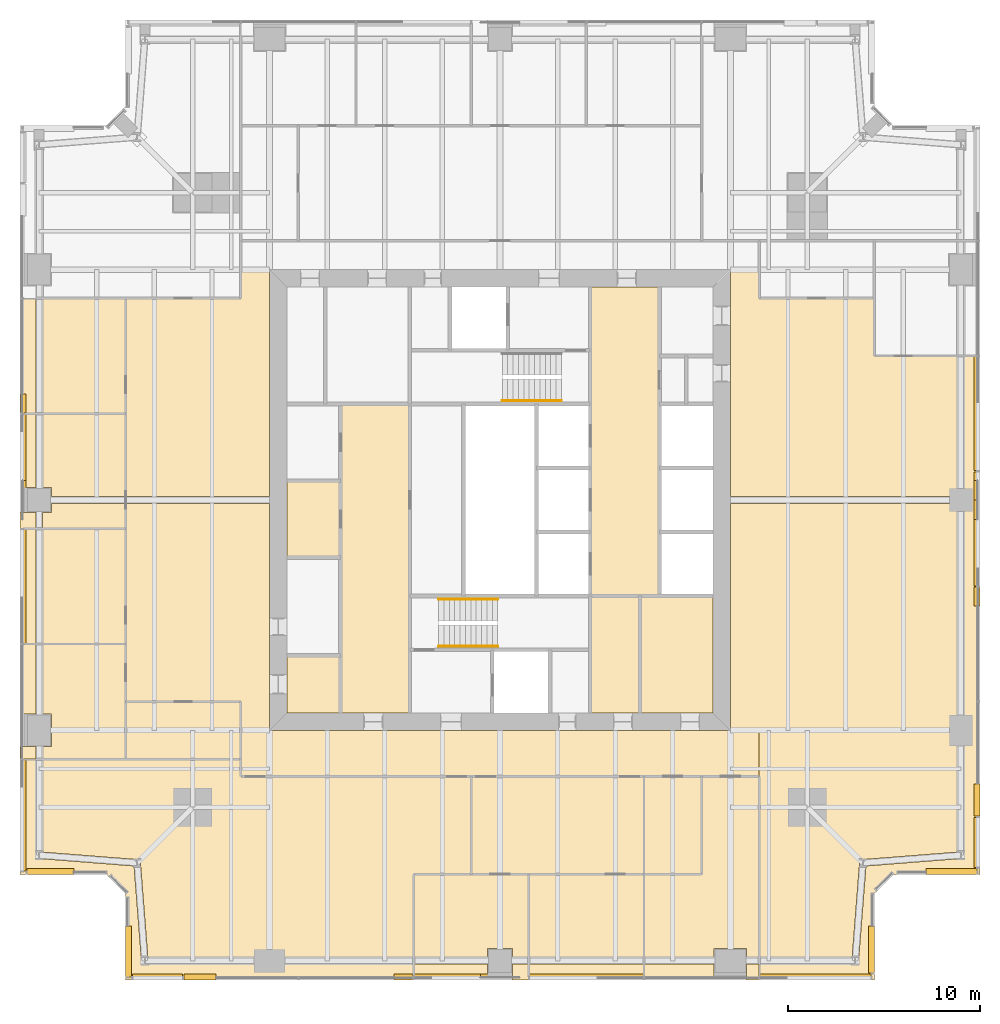
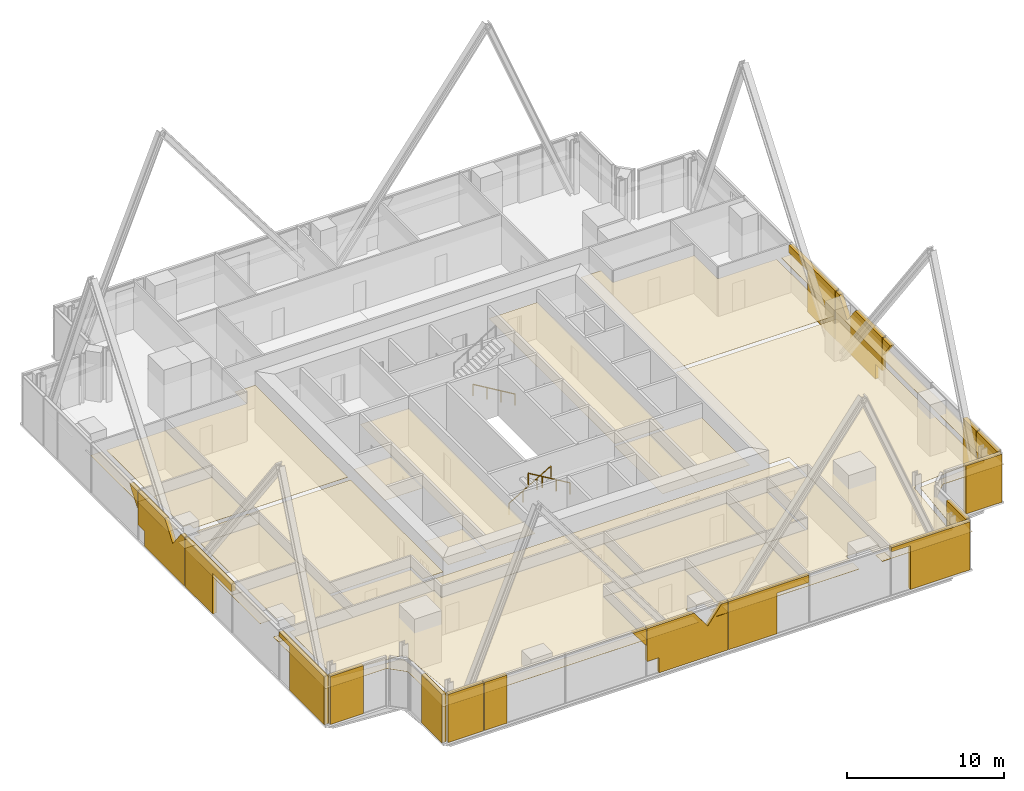
# One storey, part 13 of 14: 55 coverings, 3 railings.
"""IFC4 building model written with IfcOpenShell, lengths in metres."""

import ifcopenshell
import ifcopenshell.guid

model = None  # the IFC model being written
_history = None  # IfcOwnerHistory: only IFC2X3 demands one
_inside = {}  # id of a spatial element -> (the spatial element, [elements in it])
_under = {}  # id of a project, library or spatial element -> (it, [spatial elements below it])
_declared = {}  # id of a project -> (the project, [libraries it declares])
_typed = {}  # id of a type object -> (the type object, [elements of that type])
_made_of = {}  # id of a material, layer set ... -> (it, [elements and type objects made of it])


def new_model(schema):
    """Start an empty IFC model of exactly this schema.

    Asked for "IFC4X3", IfcOpenShell would pick the latest addendum, in which some entities
    have other attributes; the version numbers below select the first issue.
    IFC2X3 requires an IfcOwnerHistory on every rooted entity: one is made here for all.
    """
    global model, _history
    if schema == "IFC4X3":
        model = ifcopenshell.file(schema_version=(4, 3, 0, 0))
    else:
        model = ifcopenshell.file(schema=schema)
    _inside.clear()
    _under.clear()
    _declared.clear()
    _typed.clear()
    _made_of.clear()
    _history = None
    if model.schema == "IFC2X3":
        org = make("IfcOrganization", Name="unknown")
        user = make(
            "IfcPersonAndOrganization",
            ThePerson=make("IfcPerson", FamilyName="unknown"),
            TheOrganization=org,
        )
        app = make(
            "IfcApplication",
            ApplicationDeveloper=org,
            Version="unknown",
            ApplicationFullName="unknown",
            ApplicationIdentifier="unknown",
        )
        _history = make(
            "IfcOwnerHistory",
            OwningUser=user,
            OwningApplication=app,
            ChangeAction="ADDED",
            CreationDate=0,
        )
    return model


def make(cls, **values):
    """One entity of the class cls with the attributes given. An attribute that is None is left unset."""
    return model.create_entity(
        cls, **{name: value for name, value in values.items() if value is not None}
    )


def rooted(cls, **values):
    """An entity with a GlobalId (a new one), such as an element, a storey or a relation."""
    return make(cls, GlobalId=ifcopenshell.guid.new(), OwnerHistory=_history, **values)


def si_unit(unit_type, name, prefix=None):
    """IfcSIUnit, for example si_unit("LENGTHUNIT", "METRE", prefix="MILLI")."""
    return make("IfcSIUnit", UnitType=unit_type, Prefix=prefix, Name=name)


def assignment(units):
    """IfcUnitAssignment: the units of a project."""
    return None if units is None else make("IfcUnitAssignment", Units=units)


def point(xyz):
    """IfcCartesianPoint."""
    return None if xyz is None else make("IfcCartesianPoint", Coordinates=xyz)


def direction(xyz):
    """IfcDirection."""
    return None if xyz is None else make("IfcDirection", DirectionRatios=xyz)


def frame(location, z_axis=None, x_axis=None):
    """IfcAxis2Placement3D, a coordinate frame: its origin and axes. An axis left out is left unset."""
    return make(
        "IfcAxis2Placement3D",
        Location=point(location),
        Axis=direction(z_axis),
        RefDirection=direction(x_axis),
    )


def frame_2d(location, x_axis=None):
    """IfcAxis2Placement2D, a coordinate frame in the plane: its origin and x axis."""
    return make(
        "IfcAxis2Placement2D", Location=point(location), RefDirection=direction(x_axis)
    )


def origin():
    """The frame at (0, 0, 0) with its axes left unset."""
    return frame((0.0, 0.0, 0.0))


def origin_2d():
    """The frame at (0, 0) in the plane with its x axis left unset."""
    return frame_2d((0.0, 0.0))


def place(relative_to, where):
    """IfcLocalPlacement: puts the frame where relative to a parent placement (None: the world)."""
    return make(
        "IfcLocalPlacement", PlacementRelTo=relative_to, RelativePlacement=where
    )


def context(
    kind, dimensions, precision=None, world=None, true_north=None, identifier=None
):
    """IfcGeometricRepresentationContext, for example the 3D "Model" context."""
    return make(
        "IfcGeometricRepresentationContext",
        ContextIdentifier=identifier,
        ContextType=kind,
        CoordinateSpaceDimension=dimensions,
        Precision=precision,
        WorldCoordinateSystem=world,
        TrueNorth=true_north,
    )


def subcontext(parent, identifier, kind, view, scale=None):
    """IfcGeometricRepresentationSubContext, for example "Body" below "Model"."""
    return make(
        "IfcGeometricRepresentationSubContext",
        ContextIdentifier=identifier,
        ContextType=kind,
        ParentContext=parent,
        TargetScale=scale,
        TargetView=view,
    )


def project(units=None, contexts=None):
    """IfcProject with its units and contexts."""
    return rooted(
        "IfcProject",
        Name="project",
        RepresentationContexts=contexts,
        UnitsInContext=assignment(units),
    )


def spatial(cls, under=None, at=None, **own):
    """A site, building, storey or space (cls), placed at a placement, below another one or the project."""
    s = rooted(cls, ObjectPlacement=at, **own)
    if under is not None:
        _under.setdefault(under.id(), (under, []))[1].append(s)
    return s


def polyline(points):
    """IfcPolyline through the points."""
    return make("IfcPolyline", Points=[point(p) for p in points])


def profile(cls, at=None, kind="AREA", **sizes):
    """A parametric profile (cls). Its sizes go by their IFC names, for example OverallWidth=200.0."""
    return make(cls, ProfileType=kind, Position=at, **sizes)


def circle(**sizes):
    """IfcCircleProfileDef."""
    return profile("IfcCircleProfileDef", **sizes)


def outline(outer, holes=None, kind="AREA"):
    """IfcArbitraryClosedProfileDef: a profile drawn as a closed curve; with holes, ...WithVoids."""
    if holes is None:
        return make("IfcArbitraryClosedProfileDef", ProfileType=kind, OuterCurve=outer)
    return make(
        "IfcArbitraryProfileDefWithVoids",
        ProfileType=kind,
        OuterCurve=outer,
        InnerCurves=holes,
    )


def extrude(swept, where, along, depth):
    """IfcExtrudedAreaSolid: the profile swept, set in the frame where, extruded along a direction by depth."""
    return make(
        "IfcExtrudedAreaSolid",
        SweptArea=swept,
        Position=where,
        ExtrudedDirection=direction(along),
        Depth=depth,
    )


def shape(context_of_items, identifier, shape_type, items):
    """IfcShapeRepresentation: the items that make up one representation, for example the "Body"."""
    return make(
        "IfcShapeRepresentation",
        ContextOfItems=context_of_items,
        RepresentationIdentifier=identifier,
        RepresentationType=shape_type,
        Items=items,
    )


def material(Name=None, Category=None):
    """IfcMaterial."""
    return make("IfcMaterial", Name=Name, Category=Category)


def layer(
    of_material, thickness, ventilated=None, Name=None, Category=None, Priority=None
):
    """IfcMaterialLayer: one layer of a wall or slab, of a material (None: an air gap)."""
    return make(
        "IfcMaterialLayer",
        Material=of_material,
        LayerThickness=thickness,
        IsVentilated=ventilated,
        Name=Name,
        Category=Category,
        Priority=Priority,
    )


def layer_set(layers, Name=None):
    """IfcMaterialLayerSet."""
    return make("IfcMaterialLayerSet", MaterialLayers=layers, LayerSetName=Name)


def made_of(thing, what):
    """Note that an element or type object is made of a material, layer set ...; save() writes the relation."""
    if what is not None:
        _made_of.setdefault(what.id(), (what, []))[1].append(thing)
    return thing


def type_object(cls, material=None, **own):
    """A type object (cls), such as IfcWallType, which elements share."""
    return made_of(rooted(cls, **own), material)


def element(
    cls,
    number,
    at=None,
    inside=None,
    cuts=None,
    type_object=None,
    material=None,
    context=None,
    identifier="Body",
    shape_type=None,
    held_by="IfcProductDefinitionShape",
    body=None,
    shapes=None,
    **own,
):
    """One element of the class cls, such as IfcWall. Its Tag is "e" and its number.

    at: its placement. inside: the storey or other place that contains it. cuts: it is an
    opening in that element (IfcRelVoidsElement). A single representation is given by context,
    identifier, shape_type and body (its items); several are given by shapes. held_by: the class
    of the entity that holds the representations. save() writes the other relations.
    """
    e = rooted(cls, Tag="e%d" % number, ObjectPlacement=at, **own)
    if body is not None:
        shapes = [shape(context, identifier, shape_type, body)]
    if shapes is not None:
        e.Representation = make(held_by, Representations=shapes)
    if inside is not None:
        _inside.setdefault(inside.id(), (inside, []))[1].append(e)
    if cuts is not None:
        rooted(
            "IfcRelVoidsElement", RelatingBuildingElement=cuts, RelatedOpeningElement=e
        )
    if type_object is not None:
        _typed.setdefault(type_object.id(), (type_object, []))[1].append(e)
    return made_of(e, material)


def aggregate(whole, parts):
    """IfcRelAggregates: a whole, such as a stair, and the parts it consists of."""
    return rooted("IfcRelAggregates", RelatingObject=whole, RelatedObjects=parts)


def save(model, path):
    """Write the relations noted so far, then the file.

    IfcRelAggregates (storeys below a building ...), IfcRelContainedInSpatialStructure (elements
    in a storey), IfcRelDefinesByType, IfcRelAssociatesMaterial and IfcRelDeclares: one each for
    every whole, place, type object, material and project.
    """
    for whole, parts in _under.values():
        aggregate(whole, parts)
    for where, things in _inside.values():
        rooted(
            "IfcRelContainedInSpatialStructure",
            RelatedElements=things,
            RelatingStructure=where,
        )
    for kind, things in _typed.values():
        rooted("IfcRelDefinesByType", RelatedObjects=things, RelatingType=kind)
    for what, things in _made_of.values():
        rooted("IfcRelAssociatesMaterial", RelatedObjects=things, RelatingMaterial=what)
    for by, libraries in _declared.values():
        rooted("IfcRelDeclares", RelatingContext=by, RelatedDefinitions=libraries)
    model.write(path)


model = new_model("IFC4")

# Units and contexts
model_context = context("Model", 3, precision=1e-05, world=origin(), true_north=direction((0.0, 1.0)))
body_context = subcontext(model_context, "Body", "Model", "MODEL_VIEW")
ifc_project = project(units=[si_unit("LENGTHUNIT", "METRE"), si_unit("AREAUNIT", "SQUARE_METRE"), si_unit("VOLUMEUNIT", "CUBIC_METRE"), si_unit("PLANEANGLEUNIT", "RADIAN"), si_unit("MASSUNIT", "GRAM", prefix="KILO")], contexts=[model_context])

# Site, building, storey
site_placement = place(None, origin())
site = spatial("IfcSite", under=ifc_project, at=site_placement, CompositionType="ELEMENT")
building_placement = place(site_placement, origin())
building = spatial("IfcBuilding", under=site, at=building_placement, Name="Fenwick Lantern Interchange", CompositionType="ELEMENT")
storey_placement = place(building_placement, frame((0.0, 0.0, 185.800048828125)))
storey = spatial("IfcBuildingStorey", under=building, at=storey_placement, Name="L43", CompositionType="ELEMENT", Elevation=185.800048828125)

# Coverings
ifc_material_1 = material(Name="Mineral fibre acoustic tile on suspended grid")
ifc_layer_1 = layer(ifc_material_1, 0.02001953125)
ifc_layer_set_1 = layer_set([ifc_layer_1], Name="ACOUSTIC TILE CEILING 20")
covering_type_1 = type_object("IfcCoveringType", Name="ACOUSTIC TILE CEILING 20", PredefinedType="CEILING", material=ifc_layer_set_1)
covering_1_placement = place(storey_placement, frame((0.0, 0.0, 2.89990234375)))
element("IfcCovering", 1, at=covering_1_placement, inside=storey, type_object=covering_type_1, Name="Meeting room ceiling", PredefinedType="CEILING", context=body_context, shape_type="SweptSolid", body=[
    extrude(outline(polyline([(20.5, 5.5), (20.5, 1.17236328125), (24.35009765625, 1.17236328125), (24.35009765625, 1.64990234375), (25.64990234375, 1.64990234375), (25.64990234375, 1.17236328125), (26.5, 1.17236328125), (26.5, 5.5), (20.5, 5.5)])), origin(), (0.0, 0.0, 1.0), 0.02001953125),
])
covering_2_placement = place(storey_placement, frame((0.0, 0.0, 2.89990234375)))
element("IfcCovering", 2, at=covering_2_placement, inside=storey, type_object=covering_type_1, Name="Meeting room ceiling", PredefinedType="CEILING", context=body_context, shape_type="SweptSolid", body=[
    extrude(outline(polyline([(20.5, 0.82763671875), (20.5, 0.0), (24.35009765625, 0.0), (24.35009765625, 0.82763671875), (20.5, 0.82763671875)])), origin(), (0.0, 0.0, 1.0), 0.02001953125),
])
covering_3_placement = place(storey_placement, frame((0.0, 0.0, 2.89990234375)))
element("IfcCovering", 3, at=covering_3_placement, inside=storey, type_object=covering_type_1, Name="Meeting room ceiling", PredefinedType="CEILING", context=body_context, shape_type="SweptSolid", body=[
    extrude(outline(polyline([(26.5, 0.0), (26.5, 0.82763671875), (25.64990234375, 0.82763671875), (25.64990234375, 0.0), (26.5, 0.0)])), origin(), (0.0, 0.0, 1.0), 0.02001953125),
])
covering_4_placement = place(storey_placement, frame((0.0, 0.0, 2.89990234375)))
element("IfcCovering", 4, at=covering_4_placement, inside=storey, type_object=covering_type_1, Name="Meeting room ceiling", PredefinedType="CEILING", context=body_context, shape_type="SweptSolid", body=[
    extrude(outline(polyline([(26.5, 5.5), (26.5, 1.17236328125), (32.5, 1.17236328125), (32.5, 5.5), (26.5, 5.5)])), origin(), (0.0, 0.0, 1.0), 0.02001953125),
])
covering_5_placement = place(storey_placement, frame((0.0, 0.0, 2.89990234375)))
element("IfcCovering", 5, at=covering_5_placement, inside=storey, type_object=covering_type_1, Name="Meeting room ceiling", PredefinedType="CEILING", context=body_context, shape_type="SweptSolid", body=[
    extrude(outline(polyline([(32.5, 0.0), (32.5, 0.82763671875), (26.5, 0.82763671875), (26.5, 0.0), (32.5, 0.0)])), origin(), (0.0, 0.0, 1.0), 0.02001953125),
])
covering_6_placement = place(storey_placement, frame((0.0, 0.0, 2.89990234375)))
element("IfcCovering", 6, at=covering_6_placement, inside=storey, type_object=covering_type_1, Name="Meeting room ceiling", PredefinedType="CEILING", context=body_context, shape_type="SweptSolid", body=[
    extrude(outline(polyline([(37.85009765625, 1.64990234375), (37.85009765625, 1.17236328125), (38.5, 1.17236328125), (38.5, 10.60009765625), (35.5, 10.60009765625), (35.5, 5.5), (32.5, 5.5), (32.5, 1.17236328125), (36.14990234375, 1.17236328125), (36.14990234375, 1.64990234375), (37.85009765625, 1.64990234375)])), origin(), (0.0, 0.0, 1.0), 0.02001953125),
])
covering_7_placement = place(storey_placement, frame((0.0, 0.0, 2.89990234375)))
element("IfcCovering", 7, at=covering_7_placement, inside=storey, type_object=covering_type_1, Name="Meeting room ceiling", PredefinedType="CEILING", context=body_context, shape_type="SweptSolid", body=[
    extrude(outline(polyline([(36.14990234375, 0.0), (36.14990234375, 0.82763671875), (32.5, 0.82763671875), (32.5, 0.0), (36.14990234375, 0.0)])), origin(), (0.0, 0.0, 1.0), 0.02001953125),
])
covering_8_placement = place(storey_placement, frame((0.0, 0.0, 2.89990234375)))
element("IfcCovering", 8, at=covering_8_placement, inside=storey, type_object=covering_type_1, Name="Meeting room ceiling", PredefinedType="CEILING", context=body_context, shape_type="SweptSolid", body=[
    extrude(outline(polyline([(37.85009765625, 0.82763671875), (37.85009765625, 0.0), (38.5, 0.0), (38.5, 0.82763671875), (37.85009765625, 0.82763671875)])), origin(), (0.0, 0.0, 1.0), 0.02001953125),
])
covering_9_placement = place(storey_placement, frame((0.0, 0.0, 2.89990234375)))
element("IfcCovering", 9, at=covering_9_placement, inside=storey, type_object=covering_type_1, Name="Open office ceiling", PredefinedType="CEILING", context=body_context, shape_type="SweptSolid", body=[
    extrude(outline(polyline([(38.5, 13.0), (38.5, 1.17236328125), (43.340576171875, 1.17236328125), (43.72802734375, 6.113525390625), (43.89990234375, 6.10009765625), (43.886474609375, 6.27197265625), (48.82763671875, 6.659423828125), (48.82763671875, 13.0), (48.82763671875, 24.824951171875), (37.0, 24.824951171875), (37.0, 13.0), (38.5, 13.0)])), origin(), (0.0, 0.0, 1.0), 0.02001953125),
])
covering_10_placement = place(storey_placement, frame((0.0, 0.0, 2.89990234375)))
element("IfcCovering", 10, at=covering_10_placement, inside=storey, type_object=covering_type_1, Name="Open office ceiling", PredefinedType="CEILING", context=body_context, shape_type="SweptSolid", body=[
    extrude(outline(polyline([(37.0, 37.0), (37.0, 25.175048828125), (48.82763671875, 25.175048828125), (48.82763671875, 32.5), (44.5, 32.5), (44.5, 35.5), (38.5, 35.5), (38.5, 37.0), (37.0, 37.0)])), origin(), (0.0, 0.0, 1.0), 0.02001953125),
])
covering_11_placement = place(storey_placement, frame((0.0, 0.0, 2.89990234375)))
element("IfcCovering", 11, at=covering_11_placement, inside=storey, type_object=covering_type_1, Name="Open office ceiling", PredefinedType="CEILING", context=body_context, shape_type="SweptSolid", body=[
    extrude(outline(polyline([(45.5, 5.5), (50.0, 5.5), (50.0, 32.5), (49.17236328125, 32.5), (49.17236328125, 25.0), (49.17236328125, 13.0), (49.17236328125, 6.5), (49.0, 6.5), (49.013427734375, 6.328125), (44.060302734375, 5.939697265625), (43.671875, 0.986572265625), (43.5, 1.0), (43.5, 0.82763671875), (38.5, 0.82763671875), (38.5, 0.0), (44.5, 0.0), (44.5, 4.5), (45.5, 5.5)])), origin(), (0.0, 0.0, 1.0), 0.02001953125),
])
covering_12_placement = place(storey_placement, frame((0.0, 0.0, 2.89990234375)))
element("IfcCovering", 12, at=covering_12_placement, inside=storey, type_object=covering_type_1, Name="Open office ceiling", PredefinedType="CEILING", context=body_context, shape_type="SweptSolid", body=[
    extrude(outline(polyline([(5.5, 24.824951171875), (5.5, 14.5), (11.5, 14.5), (11.5, 13.0), (13.0, 13.0), (13.0, 24.824951171875), (5.5, 24.824951171875)])), origin(), (0.0, 0.0, 1.0), 0.02001953125),
])
covering_13_placement = place(storey_placement, frame((0.0, 0.0, 2.89990234375)))
element("IfcCovering", 13, at=covering_13_placement, inside=storey, type_object=covering_type_1, Name="Open office ceiling", PredefinedType="CEILING", context=body_context, shape_type="SweptSolid", body=[
    extrude(outline(polyline([(5.5, 35.5), (5.5, 25.175048828125), (13.0, 25.175048828125), (13.0, 37.0), (11.5, 37.0), (11.5, 35.5), (5.5, 35.5)])), origin(), (0.0, 0.0, 1.0), 0.02001953125),
])
covering_14_placement = place(storey_placement, frame((0.0, 0.0, 2.89990234375)))
element("IfcCovering", 14, at=covering_14_placement, inside=storey, type_object=covering_type_1, Name="Office ceiling", PredefinedType="CEILING", context=body_context, shape_type="SweptSolid", body=[
    extrude(outline(polyline([(5.5, 35.5), (1.17236328125, 35.5), (1.17236328125, 29.5), (5.5, 29.5), (5.5, 35.5)])), origin(), (0.0, 0.0, 1.0), 0.02001953125),
])
covering_15_placement = place(storey_placement, frame((0.0, 0.0, 2.89990234375)))
element("IfcCovering", 15, at=covering_15_placement, inside=storey, type_object=covering_type_1, Name="Office ceiling", PredefinedType="CEILING", context=body_context, shape_type="SweptSolid", body=[
    extrude(outline(polyline([(0.0, 29.5), (0.82763671875, 29.5), (0.82763671875, 35.5), (0.0, 35.5), (0.0, 29.5)])), origin(), (0.0, 0.0, 1.0), 0.02001953125),
])
covering_16_placement = place(storey_placement, frame((0.0, 0.0, 2.89990234375)))
element("IfcCovering", 16, at=covering_16_placement, inside=storey, type_object=covering_type_1, Name="Office ceiling", PredefinedType="CEILING", context=body_context, shape_type="SweptSolid", body=[
    extrude(outline(polyline([(5.5, 29.5), (1.17236328125, 29.5), (1.17236328125, 25.64990234375), (1.64990234375, 25.64990234375), (1.64990234375, 25.175048828125), (5.5, 25.175048828125), (5.5, 29.5)])), origin(), (0.0, 0.0, 1.0), 0.02001953125),
])
covering_17_placement = place(storey_placement, frame((0.0, 0.0, 2.89990234375)))
element("IfcCovering", 17, at=covering_17_placement, inside=storey, type_object=covering_type_1, Name="Office ceiling", PredefinedType="CEILING", context=body_context, shape_type="SweptSolid", body=[
    extrude(outline(polyline([(5.5, 23.5), (5.5, 24.824951171875), (1.64990234375, 24.824951171875), (1.64990234375, 24.35009765625), (1.17236328125, 24.35009765625), (1.17236328125, 23.5), (5.5, 23.5)])), origin(), (0.0, 0.0, 1.0), 0.02001953125),
])
covering_18_placement = place(storey_placement, frame((0.0, 0.0, 2.89990234375)))
element("IfcCovering", 18, at=covering_18_placement, inside=storey, type_object=covering_type_1, Name="Office ceiling", PredefinedType="CEILING", context=body_context, shape_type="SweptSolid", body=[
    extrude(outline(polyline([(0.82763671875, 29.5), (0.0, 29.5), (0.0, 25.64990234375), (0.82763671875, 25.64990234375), (0.82763671875, 29.5)])), origin(), (0.0, 0.0, 1.0), 0.02001953125),
])
covering_19_placement = place(storey_placement, frame((0.0, 0.0, 2.89990234375)))
element("IfcCovering", 19, at=covering_19_placement, inside=storey, type_object=covering_type_1, Name="Office ceiling", PredefinedType="CEILING", context=body_context, shape_type="SweptSolid", body=[
    extrude(outline(polyline([(0.0, 23.5), (0.82763671875, 23.5), (0.82763671875, 24.35009765625), (0.0, 24.35009765625), (0.0, 23.5)])), origin(), (0.0, 0.0, 1.0), 0.02001953125),
])
covering_20_placement = place(storey_placement, frame((0.0, 0.0, 2.89990234375)))
element("IfcCovering", 20, at=covering_20_placement, inside=storey, type_object=covering_type_1, Name="Office ceiling", PredefinedType="CEILING", context=body_context, shape_type="SweptSolid", body=[
    extrude(outline(polyline([(5.5, 23.5), (1.17236328125, 23.5), (1.17236328125, 17.5), (5.5, 17.5), (5.5, 23.5)])), origin(), (0.0, 0.0, 1.0), 0.02001953125),
])
covering_21_placement = place(storey_placement, frame((0.0, 0.0, 2.89990234375)))
element("IfcCovering", 21, at=covering_21_placement, inside=storey, type_object=covering_type_1, Name="Office ceiling", PredefinedType="CEILING", context=body_context, shape_type="SweptSolid", body=[
    extrude(outline(polyline([(0.0, 17.5), (0.82763671875, 17.5), (0.82763671875, 23.5), (0.0, 23.5), (0.0, 17.5)])), origin(), (0.0, 0.0, 1.0), 0.02001953125),
])
covering_22_placement = place(storey_placement, frame((0.0, 0.0, 2.89990234375)))
element("IfcCovering", 22, at=covering_22_placement, inside=storey, type_object=covering_type_1, Name="Office ceiling", PredefinedType="CEILING", context=body_context, shape_type="SweptSolid", body=[
    extrude(outline(polyline([(5.5, 17.5), (1.17236328125, 17.5), (1.17236328125, 13.85009765625), (1.64990234375, 13.85009765625), (1.64990234375, 12.14990234375), (1.17236328125, 12.14990234375), (1.17236328125, 11.5), (5.5, 11.5), (5.5, 17.5)])), origin(), (0.0, 0.0, 1.0), 0.02001953125),
])
covering_23_placement = place(storey_placement, frame((0.0, 0.0, 2.89990234375)))
element("IfcCovering", 23, at=covering_23_placement, inside=storey, type_object=covering_type_1, Name="Office ceiling", PredefinedType="CEILING", context=body_context, shape_type="SweptSolid", body=[
    extrude(outline(polyline([(0.82763671875, 17.5), (0.0, 17.5), (0.0, 13.85009765625), (0.82763671875, 13.85009765625), (0.82763671875, 17.5)])), origin(), (0.0, 0.0, 1.0), 0.02001953125),
])
covering_24_placement = place(storey_placement, frame((0.0, 0.0, 2.89990234375)))
element("IfcCovering", 24, at=covering_24_placement, inside=storey, type_object=covering_type_1, Name="Office ceiling", PredefinedType="CEILING", context=body_context, shape_type="SweptSolid", body=[
    extrude(outline(polyline([(0.0, 11.5), (0.82763671875, 11.5), (0.82763671875, 12.14990234375), (0.0, 12.14990234375), (0.0, 11.5)])), origin(), (0.0, 0.0, 1.0), 0.02001953125),
])
ifc_material_2 = material(Name="Granite cladding, warm grey flamed finish, on aluminium carrier frame", Category="masonry")
ifc_layer_2 = layer(ifc_material_2, 0.300048828125)
ifc_layer_set_2 = layer_set([ifc_layer_2], Name="BRACE CASING PANEL 300")
covering_type_2 = type_object("IfcCoveringType", Name="BRACE CASING PANEL 300", PredefinedType="CLADDING", material=ifc_layer_set_2)
covering_25_placement = place(storey_placement, frame((5.60009765625, 0.10009765625, 0.0), z_axis=(0.0, 0.0, 1.0), x_axis=(1.0, 0.0, 0.0)))
element("IfcCovering", 25, at=covering_25_placement, inside=storey, type_object=covering_type_2, Name="Brace casing 01 bay 00a", PredefinedType="CLADDING", context=body_context, shape_type="SweptSolid", body=[
    extrude(outline(polyline([(0.264892578125, 0.0), (2.867431640625, 0.0), (2.867431640625, 3.75), (0.264892578125, 3.75), (0.264892578125, 0.0)])), frame((0.0, 0.2001953125, 0.0), z_axis=(0.0, -1.0, 0.0), x_axis=(1.0, 0.0, 0.0)), (0.0, 0.0, 1.0), 0.300048828125),
])
covering_26_placement = place(storey_placement, frame((5.60009765625, 0.10009765625, 0.0), z_axis=(0.0, 0.0, 1.0), x_axis=(1.0, 0.0, 0.0)))
element("IfcCovering", 26, at=covering_26_placement, inside=storey, type_object=covering_type_2, Name="Brace casing 01 bay 01a", PredefinedType="CLADDING", context=body_context, shape_type="SweptSolid", body=[
    extrude(outline(polyline([(2.9326171875, 0.0), (4.614013671875, 0.0), (4.614013671875, 3.75), (2.9326171875, 3.75), (2.9326171875, 0.0)])), frame((0.0, 0.2001953125, 0.0), z_axis=(0.0, -1.0, 0.0), x_axis=(1.0, 0.0, 0.0)), (0.0, 0.0, 1.0), 0.300048828125),
])
covering_27_placement = place(storey_placement, frame((5.60009765625, 0.10009765625, 2.437255859375), z_axis=(0.0, 0.0, 1.0), x_axis=(1.0, 0.0, 0.0)))
element("IfcCovering", 27, at=covering_27_placement, inside=storey, type_object=covering_type_2, Name="Brace casing 01 bay 02a", PredefinedType="CLADDING", context=body_context, shape_type="SweptSolid", body=[
    extrude(outline(polyline([(14.867431640625, 0.0), (14.867431640625, 1.312744140625), (13.883056640625, 1.312744140625), (14.867431640625, 0.0)])), frame((0.0, 0.2001953125, 0.0), z_axis=(0.0, -1.0, 0.0), x_axis=(1.0, 0.0, 0.0)), (0.0, 0.0, 1.0), 0.300048828125),
])
covering_28_placement = place(storey_placement, frame((5.60009765625, 0.10009765625, 0.0), z_axis=(0.0, 0.0, 1.0), x_axis=(1.0, 0.0, 0.0)))
element("IfcCovering", 28, at=covering_28_placement, inside=storey, type_object=covering_type_2, Name="Brace casing 01 bay 03a", PredefinedType="CLADDING", context=body_context, shape_type="SweptSolid", body=[
    extrude(outline(polyline([(15.8125, 0.0), (20.867431640625, 0.0), (20.867431640625, 3.75), (20.4169921875, 3.75), (19.39990234375, 2.39404296875), (18.383056640625, 3.75), (14.9326171875, 3.75), (14.9326171875, 1.17724609375), (15.8125, 1.17724609375), (15.8125, 0.0)])), frame((0.0, 0.2001953125, 0.0), z_axis=(0.0, -1.0, 0.0), x_axis=(1.0, 0.0, 0.0)), (0.0, 0.0, 1.0), 0.300048828125),
])
covering_29_placement = place(storey_placement, frame((5.60009765625, 0.10009765625, 0.0), z_axis=(0.0, 0.0, 1.0), x_axis=(1.0, 0.0, 0.0)))
element("IfcCovering", 29, at=covering_29_placement, inside=storey, type_object=covering_type_2, Name="Brace casing 01 bay 04a", PredefinedType="CLADDING", context=body_context, shape_type="SweptSolid", body=[
    extrude(outline(polyline([(20.9326171875, 0.0), (24.484375, 0.0), (24.484375, 3.17333984375), (26.867431640625, 3.17333984375), (26.867431640625, 3.75), (20.9326171875, 3.75), (20.9326171875, 0.0)])), frame((0.0, 0.2001953125, 0.0), z_axis=(0.0, -1.0, 0.0), x_axis=(1.0, 0.0, 0.0)), (0.0, 0.0, 1.0), 0.300048828125),
])
covering_30_placement = place(storey_placement, frame((5.60009765625, 0.10009765625, 0.0), z_axis=(0.0, 0.0, 1.0), x_axis=(1.0, 0.0, 0.0)))
element("IfcCovering", 30, at=covering_30_placement, inside=storey, type_object=covering_type_2, Name="Brace casing 01 bay 06a", PredefinedType="CLADDING", context=body_context, shape_type="SweptSolid", body=[
    extrude(outline(polyline([(34.322509765625, 0.0), (38.735107421875, 0.0), (38.735107421875, 3.75), (32.9326171875, 3.75), (32.9326171875, 3.417724609375), (34.322509765625, 3.417724609375), (34.322509765625, 0.0)])), frame((0.0, 0.2001953125, 0.0), z_axis=(0.0, -1.0, 0.0), x_axis=(1.0, 0.0, 0.0)), (0.0, 0.0, 1.0), 0.300048828125),
])
covering_31_placement = place(storey_placement, frame((44.39990234375, 0.10009765625, 0.0), z_axis=(0.0, 0.0, 1.0), x_axis=(0.0, 1.0, 0.0)))
element("IfcCovering", 31, at=covering_31_placement, inside=storey, type_object=covering_type_2, Name="Brace casing 02 bay 00a", PredefinedType="CLADDING", context=body_context, shape_type="SweptSolid", body=[
    extrude(outline(polyline([(0.264892578125, 0.0), (2.699951171875, 0.0), (2.699951171875, 3.75), (0.264892578125, 3.75), (0.264892578125, 0.0)])), frame((0.0, 0.2001953125, 0.0), z_axis=(0.0, -1.0, 0.0), x_axis=(1.0, 0.0, 0.0)), (0.0, 0.0, 1.0), 0.300048828125),
])
covering_32_placement = place(storey_placement, frame((45.45849609375, 5.60009765625, 0.0), z_axis=(0.0, 0.0, 1.0), x_axis=(1.0, 0.0, 0.0)))
element("IfcCovering", 32, at=covering_32_placement, inside=storey, type_object=covering_type_2, Name="Brace casing 04 bay 00a", PredefinedType="CLADDING", context=body_context, shape_type="SweptSolid", body=[
    extrude(outline(polyline([(1.741455078125, 0.0), (4.37646484375, 0.0), (4.37646484375, 3.75), (1.741455078125, 3.75), (1.741455078125, 0.0)])), frame((0.0, 0.2001953125, 0.0), z_axis=(0.0, -1.0, 0.0), x_axis=(1.0, 0.0, 0.0)), (0.0, 0.0, 1.0), 0.300048828125),
])
covering_33_placement = place(storey_placement, frame((49.89990234375, 5.60009765625, 0.0), z_axis=(0.0, 0.0, 1.0), x_axis=(0.0, 1.0, 0.0)))
element("IfcCovering", 33, at=covering_33_placement, inside=storey, type_object=covering_type_2, Name="Brace casing 05 bay 00a", PredefinedType="CLADDING", context=body_context, shape_type="SweptSolid", body=[
    extrude(outline(polyline([(0.264892578125, 0.0), (2.867431640625, 0.0), (2.867431640625, 3.75), (0.264892578125, 3.75), (0.264892578125, 0.0)])), frame((0.0, 0.2001953125, 0.0), z_axis=(0.0, -1.0, 0.0), x_axis=(1.0, 0.0, 0.0)), (0.0, 0.0, 1.0), 0.300048828125),
])
covering_34_placement = place(storey_placement, frame((49.89990234375, 5.60009765625, 0.0), z_axis=(0.0, 0.0, 1.0), x_axis=(0.0, 1.0, 0.0)))
element("IfcCovering", 34, at=covering_34_placement, inside=storey, type_object=covering_type_2, Name="Brace casing 05 bay 01a", PredefinedType="CLADDING", context=body_context, shape_type="SweptSolid", body=[
    extrude(outline(polyline([(2.9326171875, 0.0), (4.614013671875, 0.0), (4.614013671875, 3.75), (2.9326171875, 3.75), (2.9326171875, 0.0)])), frame((0.0, 0.2001953125, 0.0), z_axis=(0.0, -1.0, 0.0), x_axis=(1.0, 0.0, 0.0)), (0.0, 0.0, 1.0), 0.300048828125),
])
covering_35_placement = place(storey_placement, frame((49.89990234375, 5.60009765625, 2.437255859375), z_axis=(0.0, 0.0, 1.0), x_axis=(0.0, 1.0, 0.0)))
element("IfcCovering", 35, at=covering_35_placement, inside=storey, type_object=covering_type_2, Name="Brace casing 05 bay 02a", PredefinedType="CLADDING", context=body_context, shape_type="SweptSolid", body=[
    extrude(outline(polyline([(14.867431640625, 0.0), (14.867431640625, 1.312744140625), (13.883056640625, 1.312744140625), (14.867431640625, 0.0)])), frame((0.0, 0.2001953125, 0.0), z_axis=(0.0, -1.0, 0.0), x_axis=(1.0, 0.0, 0.0)), (0.0, 0.0, 1.0), 0.300048828125),
])
covering_36_placement = place(storey_placement, frame((49.89990234375, 5.60009765625, 0.0), z_axis=(0.0, 0.0, 1.0), x_axis=(0.0, 1.0, 0.0)))
element("IfcCovering", 36, at=covering_36_placement, inside=storey, type_object=covering_type_2, Name="Brace casing 05 bay 03a", PredefinedType="CLADDING", context=body_context, shape_type="SweptSolid", body=[
    extrude(outline(polyline([(15.8125, 0.0), (20.867431640625, 0.0), (20.867431640625, 3.75), (20.4169921875, 3.75), (19.39990234375, 2.39404296875), (18.383056640625, 3.75), (14.9326171875, 3.75), (14.9326171875, 1.17724609375), (15.8125, 1.17724609375), (15.8125, 0.0)])), frame((0.0, 0.2001953125, 0.0), z_axis=(0.0, -1.0, 0.0), x_axis=(1.0, 0.0, 0.0)), (0.0, 0.0, 1.0), 0.300048828125),
])
covering_37_placement = place(storey_placement, frame((49.89990234375, 5.60009765625, 0.0), z_axis=(0.0, 0.0, 1.0), x_axis=(0.0, 1.0, 0.0)))
element("IfcCovering", 37, at=covering_37_placement, inside=storey, type_object=covering_type_2, Name="Brace casing 05 bay 04a", PredefinedType="CLADDING", context=body_context, shape_type="SweptSolid", body=[
    extrude(outline(polyline([(20.9326171875, 0.0), (24.484375, 0.0), (24.484375, 3.17333984375), (26.867431640625, 3.17333984375), (26.867431640625, 3.75), (20.9326171875, 3.75), (20.9326171875, 0.0)])), frame((0.0, 0.2001953125, 0.0), z_axis=(0.0, -1.0, 0.0), x_axis=(1.0, 0.0, 0.0)), (0.0, 0.0, 1.0), 0.300048828125),
])
covering_38_placement = place(storey_placement, frame((0.10009765625, 44.39990234375, 2.437255859375), z_axis=(0.0, 0.0, 1.0), x_axis=(0.0, -1.0, 0.0)))
element("IfcCovering", 38, at=covering_38_placement, inside=storey, type_object=covering_type_2, Name="Brace casing 13 bay 02a", PredefinedType="CLADDING", context=body_context, shape_type="SweptSolid", body=[
    extrude(outline(polyline([(14.867431640625, 0.0), (14.867431640625, 1.312744140625), (13.883056640625, 1.312744140625), (14.867431640625, 0.0)])), frame((0.0, 0.2001953125, 0.0), z_axis=(0.0, -1.0, 0.0), x_axis=(1.0, 0.0, 0.0)), (0.0, 0.0, 1.0), 0.300048828125),
])
covering_39_placement = place(storey_placement, frame((0.10009765625, 44.39990234375, 0.0), z_axis=(0.0, 0.0, 1.0), x_axis=(0.0, -1.0, 0.0)))
element("IfcCovering", 39, at=covering_39_placement, inside=storey, type_object=covering_type_2, Name="Brace casing 13 bay 03a", PredefinedType="CLADDING", context=body_context, shape_type="SweptSolid", body=[
    extrude(outline(polyline([(15.8125, 0.0), (20.867431640625, 0.0), (20.867431640625, 3.75), (20.4169921875, 3.75), (19.39990234375, 2.39404296875), (18.383056640625, 3.75), (14.9326171875, 3.75), (14.9326171875, 1.17724609375), (15.8125, 1.17724609375), (15.8125, 0.0)])), frame((0.0, 0.2001953125, 0.0), z_axis=(0.0, -1.0, 0.0), x_axis=(1.0, 0.0, 0.0)), (0.0, 0.0, 1.0), 0.300048828125),
])
covering_40_placement = place(storey_placement, frame((0.10009765625, 44.39990234375, 0.0), z_axis=(0.0, 0.0, 1.0), x_axis=(0.0, -1.0, 0.0)))
element("IfcCovering", 40, at=covering_40_placement, inside=storey, type_object=covering_type_2, Name="Brace casing 13 bay 04a", PredefinedType="CLADDING", context=body_context, shape_type="SweptSolid", body=[
    extrude(outline(polyline([(20.9326171875, 0.0), (24.484375, 0.0), (24.484375, 3.17333984375), (26.867431640625, 3.17333984375), (26.867431640625, 3.75), (20.9326171875, 3.75), (20.9326171875, 0.0)])), frame((0.0, 0.2001953125, 0.0), z_axis=(0.0, -1.0, 0.0), x_axis=(1.0, 0.0, 0.0)), (0.0, 0.0, 1.0), 0.300048828125),
])
covering_41_placement = place(storey_placement, frame((0.10009765625, 44.39990234375, 0.0), z_axis=(0.0, 0.0, 1.0), x_axis=(0.0, -1.0, 0.0)))
element("IfcCovering", 41, at=covering_41_placement, inside=storey, type_object=covering_type_2, Name="Brace casing 13 bay 06a", PredefinedType="CLADDING", context=body_context, shape_type="SweptSolid", body=[
    extrude(outline(polyline([(34.322509765625, 0.0), (38.735107421875, 0.0), (38.735107421875, 3.75), (32.9326171875, 3.75), (32.9326171875, 3.417724609375), (34.322509765625, 3.417724609375), (34.322509765625, 0.0)])), frame((0.0, 0.2001953125, 0.0), z_axis=(0.0, -1.0, 0.0), x_axis=(1.0, 0.0, 0.0)), (0.0, 0.0, 1.0), 0.300048828125),
])
covering_42_placement = place(storey_placement, frame((0.10009765625, 5.60009765625, 0.0), z_axis=(0.0, 0.0, 1.0), x_axis=(1.0, 0.0, 0.0)))
element("IfcCovering", 42, at=covering_42_placement, inside=storey, type_object=covering_type_2, Name="Brace casing 14 bay 00a", PredefinedType="CLADDING", context=body_context, shape_type="SweptSolid", body=[
    extrude(outline(polyline([(0.264892578125, 0.0), (2.699951171875, 0.0), (2.699951171875, 3.75), (0.264892578125, 3.75), (0.264892578125, 0.0)])), frame((0.0, 0.2001953125, 0.0), z_axis=(0.0, -1.0, 0.0), x_axis=(1.0, 0.0, 0.0)), (0.0, 0.0, 1.0), 0.300048828125),
])
covering_43_placement = place(storey_placement, frame((5.60009765625, 4.54150390625, 0.0), z_axis=(0.0, 0.0, 1.0), x_axis=(0.0, -1.0, 0.0)))
element("IfcCovering", 43, at=covering_43_placement, inside=storey, type_object=covering_type_2, Name="Brace casing 16 bay 00a", PredefinedType="CLADDING", context=body_context, shape_type="SweptSolid", body=[
    extrude(outline(polyline([(1.741455078125, 0.0), (4.37646484375, 0.0), (4.37646484375, 3.75), (1.741455078125, 3.75), (1.741455078125, 0.0)])), frame((0.0, 0.2001953125, 0.0), z_axis=(0.0, -1.0, 0.0), x_axis=(1.0, 0.0, 0.0)), (0.0, 0.0, 1.0), 0.300048828125),
])

# Railings
ifc_material_3 = material(Name="Stainless steel handrail", Category="steel")
railing_type = type_object("IfcRailingType", Name="HANDRAIL 900", PredefinedType="HANDRAIL", material=ifc_material_3)
railing_placement = place(storey_placement, frame((21.800048828125, 19.825927734375, 0.16650390625)))
element("IfcRailing", 44, at=railing_placement, inside=storey, type_object=railing_type, Name="L43/STAIR/ST1/HR1", PredefinedType="HANDRAIL", context=body_context, shape_type="SweptSolid", body=[
    extrude(circle(Radius=0.02392578125, at=origin_2d()), frame((0.0, 0.0, 0.8759765625), z_axis=(0.859260807169, 0.0, 0.511537745687), x_axis=(0.0, 1.0, 0.0)), (0.0, 0.0, 1.0), 3.584228515625),
    extrude(circle(Radius=0.02099609375, at=origin_2d()), origin(), (0.0, 0.0, 1.0), 0.851806640625),
    extrude(circle(Radius=0.02099609375, at=origin_2d()), frame((1.026611328125, 0.0, 0.611083984375)), (0.0, 0.0, 1.0), 0.851806640625),
    extrude(circle(Radius=0.02099609375, at=origin_2d()), frame((2.05322265625, 0.0, 1.222412109375)), (0.0, 0.0, 1.0), 0.851806640625),
    extrude(circle(Radius=0.02099609375, at=origin_2d()), frame((3.079833984375, 0.0, 1.83349609375)), (0.0, 0.0, 1.0), 0.851806640625),
])
for number, where, name in (
    (45, (24.8798828125, 17.3740234375, 2.16650390625), "L43/STAIR/ST1/HR2"),
    (46, (28.199951171875, 30.174072265625, 0.16650390625), "L43/STAIR/ST2/HR1"),
):
    element("IfcRailing", number, at=place(storey_placement, frame(where)), inside=storey, type_object=railing_type, Name=name, PredefinedType="HANDRAIL", context=body_context, shape_type="SweptSolid", body=[
        extrude(circle(Radius=0.02392578125, at=origin_2d()), frame((0.0, 0.0, 0.8759765625), z_axis=(-0.859260807169, 0.0, 0.511537745687), x_axis=(0.0, -1.0, 0.0)), (0.0, 0.0, 1.0), 3.584228515625),
        extrude(circle(Radius=0.02099609375, at=origin_2d()), origin(), (0.0, 0.0, 1.0), 0.851806640625),
        extrude(circle(Radius=0.02099609375, at=origin_2d()), frame((-1.026611328125, 0.0, 0.611083984375)), (0.0, 0.0, 1.0), 0.851806640625),
        extrude(circle(Radius=0.02099609375, at=origin_2d()), frame((-2.05322265625, 0.0, 1.222412109375)), (0.0, 0.0, 1.0), 0.851806640625),
        extrude(circle(Radius=0.02099609375, at=origin_2d()), frame((-3.079833984375, 0.0, 1.83349609375)), (0.0, 0.0, 1.0), 0.851806640625),
    ])

# Coverings
ifc_material_4 = material(Name="Moisture resistant gypsum board on suspended frame, painted")
ifc_layer_3 = layer(ifc_material_4, 0.014892578125)
ifc_layer_set_3 = layer_set([ifc_layer_3], Name="MOISTURE RESISTANT CEILING 15")
covering_type_3 = type_object("IfcCoveringType", Name="MOISTURE RESISTANT CEILING 15", PredefinedType="CEILING", material=ifc_layer_set_3)
covering_44_placement = place(storey_placement, frame((0.0, 0.0, 2.599853515625)))
element("IfcCovering", 47, at=covering_44_placement, inside=storey, type_object=covering_type_3, Name="Men's WC ceiling", PredefinedType="CEILING", context=body_context, shape_type="SweptSolid", body=[
    extrude(outline(polyline([(29.699951171875, 13.89990234375), (32.300048828125, 13.89990234375), (32.300048828125, 20.0), (29.699951171875, 20.0), (29.699951171875, 13.89990234375)])), origin(), (0.0, 0.0, 1.0), 0.01513671875),
])
covering_45_placement = place(storey_placement, frame((0.0, 0.0, 2.599853515625)))
element("IfcCovering", 48, at=covering_45_placement, inside=storey, type_object=covering_type_3, Name="Women's WC ceiling", PredefinedType="CEILING", context=body_context, shape_type="SweptSolid", body=[
    extrude(outline(polyline([(32.300048828125, 13.89990234375), (36.10009765625, 13.89990234375), (36.10009765625, 20.0), (32.300048828125, 20.0), (32.300048828125, 13.89990234375)])), origin(), (0.0, 0.0, 1.0), 0.01513671875),
])
covering_46_placement = place(storey_placement, frame((0.0, 0.0, 2.599853515625)))
element("IfcCovering", 49, at=covering_46_placement, inside=storey, type_object=covering_type_3, Name="Accessible WC ceiling", PredefinedType="CEILING", context=body_context, shape_type="SweptSolid", body=[
    extrude(outline(polyline([(13.89990234375, 13.89990234375), (16.699951171875, 13.89990234375), (16.699951171875, 16.89990234375), (13.89990234375, 16.89990234375), (13.89990234375, 13.89990234375)])), origin(), (0.0, 0.0, 1.0), 0.01513671875),
])
covering_47_placement = place(storey_placement, frame((0.0, 0.0, 2.699951171875)))
element("IfcCovering", 50, at=covering_47_placement, inside=storey, type_object=covering_type_3, Name="Pantry ceiling", PredefinedType="CEILING", context=body_context, shape_type="SweptSolid", body=[
    extrude(outline(polyline([(13.89990234375, 22.0), (16.699951171875, 22.0), (16.699951171875, 26.0), (13.89990234375, 26.0), (13.89990234375, 22.0)])), origin(), (0.0, 0.0, 1.0), 0.014892578125),
])
covering_48_placement = place(storey_placement, frame((0.0, 0.0, 2.699951171875)))
element("IfcCovering", 51, at=covering_48_placement, inside=storey, type_object=covering_type_3, Name="Pantry ceiling", PredefinedType="CEILING", context=body_context, shape_type="SweptSolid", body=[
    extrude(outline(polyline([(32.5, 5.5), (35.5, 5.5), (35.5, 10.60009765625), (32.5, 10.60009765625), (32.5, 5.5)])), origin(), (0.0, 0.0, 1.0), 0.014892578125),
])
covering_49_placement = place(storey_placement, frame((0.0, 0.0, 2.699951171875)))
element("IfcCovering", 52, at=covering_49_placement, inside=storey, type_object=covering_type_3, Name="Pantry ceiling", PredefinedType="CEILING", context=body_context, shape_type="SweptSolid", body=[
    extrude(outline(polyline([(5.5, 14.5), (5.5, 11.5), (11.5, 11.5), (11.5, 14.5), (5.5, 14.5)])), origin(), (0.0, 0.0, 1.0), 0.014892578125),
])
ifc_material_5 = material(Name="Gypsum plasterboard on suspended frame, painted")
ifc_layer_4 = layer(ifc_material_5, 0.014892578125)
ifc_layer_set_4 = layer_set([ifc_layer_4], Name="PLASTERBOARD CEILING 15")
covering_type_4 = type_object("IfcCoveringType", Name="PLASTERBOARD CEILING 15", PredefinedType="CEILING", material=ifc_layer_set_4)
covering_50_placement = place(storey_placement, frame((0.0, 0.0, 2.800048828125)))
element("IfcCovering", 53, at=covering_50_placement, inside=storey, type_object=covering_type_4, Name="Lift lobby ceiling", PredefinedType="CEILING", context=body_context, shape_type="SweptSolid", body=[
    extrude(outline(polyline([(16.699951171875, 13.89990234375), (20.300048828125, 13.89990234375), (20.300048828125, 30.0), (16.699951171875, 30.0), (16.699951171875, 13.89990234375)])), origin(), (0.0, 0.0, 1.0), 0.014892578125),
])
covering_51_placement = place(storey_placement, frame((0.0, 0.0, 2.800048828125)))
element("IfcCovering", 54, at=covering_51_placement, inside=storey, type_object=covering_type_4, Name="Lift lobby ceiling", PredefinedType="CEILING", context=body_context, shape_type="SweptSolid", body=[
    extrude(outline(polyline([(33.300048828125, 36.10009765625), (29.699951171875, 36.10009765625), (29.699951171875, 20.0), (33.300048828125, 20.0), (33.300048828125, 36.10009765625)])), origin(), (0.0, 0.0, 1.0), 0.014892578125),
])
covering_52_placement = place(storey_placement, frame((0.0, 0.0, 2.599853515625)))
element("IfcCovering", 55, at=covering_52_placement, inside=storey, type_object=covering_type_4, Name="Corridor ceiling", PredefinedType="CEILING", context=body_context, shape_type="SweptSolid", body=[
    extrude(outline(polyline([(11.5, 10.60009765625), (38.5, 10.60009765625), (38.5, 13.0), (11.5, 13.0), (11.5, 10.60009765625)])), origin(), (0.0, 0.0, 1.0), 0.01513671875),
])
covering_53_placement = place(storey_placement, frame((0.0, 0.0, 2.89990234375)))
element("IfcCovering", 56, at=covering_53_placement, inside=storey, type_object=covering_type_4, Name="Reception ceiling", PredefinedType="CEILING", context=body_context, shape_type="SweptSolid", body=[
    extrude(outline(polyline([(23.5, 5.5), (32.5, 5.5), (32.5, 10.60009765625), (23.5, 10.60009765625), (23.5, 5.5)])), origin(), (0.0, 0.0, 1.0), 0.01513671875),
])
covering_54_placement = place(storey_placement, frame((0.0, 0.0, 2.89990234375)))
element("IfcCovering", 57, at=covering_54_placement, inside=storey, type_object=covering_type_4, Name="Client lounge ceiling", PredefinedType="CEILING", context=body_context, shape_type="SweptSolid", body=[
    extrude(outline(polyline([(11.5, 11.5), (1.17236328125, 11.5), (1.17236328125, 6.659423828125), (6.113525390625, 6.27197265625), (6.10009765625, 6.10009765625), (6.27197265625, 6.113525390625), (6.659423828125, 1.17236328125), (13.0, 1.17236328125), (20.5, 1.17236328125), (20.5, 5.5), (23.5, 5.5), (23.5, 10.60009765625), (11.5, 10.60009765625), (11.5, 11.5)])), origin(), (0.0, 0.0, 1.0), 0.01513671875),
])
covering_55_placement = place(storey_placement, frame((0.0, 0.0, 2.89990234375)))
element("IfcCovering", 58, at=covering_55_placement, inside=storey, type_object=covering_type_4, Name="Client lounge ceiling", PredefinedType="CEILING", context=body_context, shape_type="SweptSolid", body=[
    extrude(outline(polyline([(5.5, 0.0), (20.5, 0.0), (20.5, 0.82763671875), (13.0, 0.82763671875), (6.5, 0.82763671875), (6.5, 1.0), (6.328125, 0.986572265625), (5.939697265625, 5.939697265625), (0.986572265625, 6.328125), (1.0, 6.5), (0.82763671875, 6.5), (0.82763671875, 11.5), (0.0, 11.5), (0.0, 5.5), (4.5, 5.5), (5.5, 4.5), (5.5, 0.0)])), origin(), (0.0, 0.0, 1.0), 0.01513671875),
])

save(model, "model.ifc")
